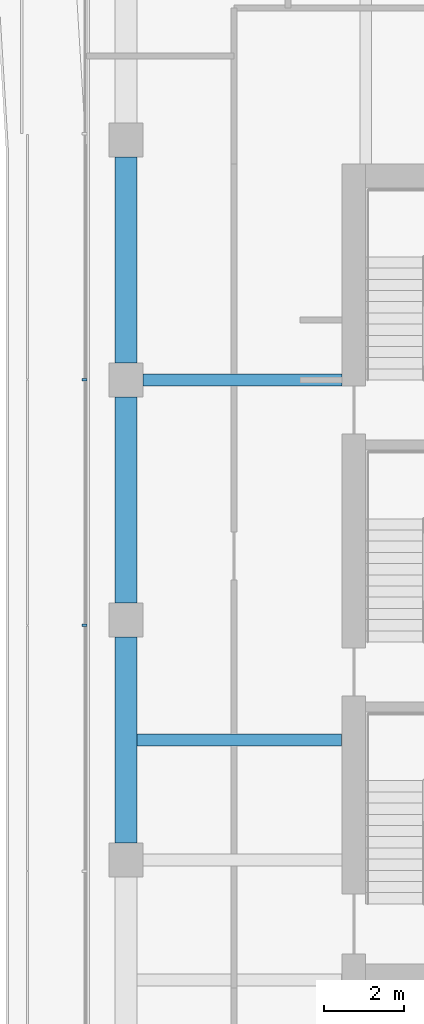
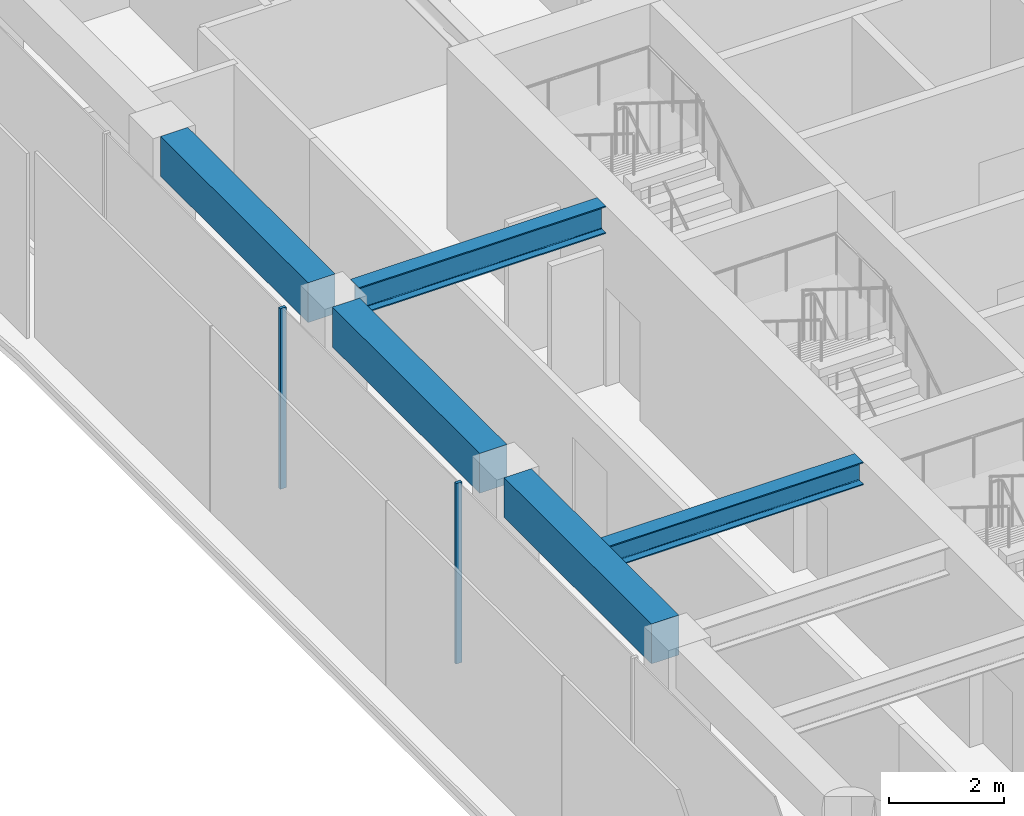
# One storey, part 5 of 21: 5 beams, 2 members, 1 element without a shape of its own.
"""IFC4 building model written with IfcOpenShell, lengths in metres."""

from ifc_helpers import new_model, si_unit, direction, frame, origin, origin_2d, place, context, subcontext, project, spatial, rectangle, i_section, extrude, material, layer, layer_set, material_profile, profile_set, type_object, element, aggregate, save


model = new_model("IFC4")

# Units and contexts
model_context = context("Model", 3, precision=1e-05, world=origin(), true_north=direction((0.0, 1.0)))
body_context = subcontext(model_context, "Body", "Model", "MODEL_VIEW")
ifc_project = project(units=[si_unit("LENGTHUNIT", "METRE"), si_unit("AREAUNIT", "SQUARE_METRE"), si_unit("VOLUMEUNIT", "CUBIC_METRE"), si_unit("PLANEANGLEUNIT", "RADIAN"), si_unit("MASSUNIT", "GRAM", prefix="KILO")], contexts=[model_context])

# Site, building, storey
site_placement = place(None, origin())
site = spatial("IfcSite", under=ifc_project, at=site_placement, CompositionType="ELEMENT")
building_placement = place(site_placement, origin())
building = spatial("IfcBuilding", under=site, at=building_placement, Name="Welwitschia Terrace Campus", CompositionType="ELEMENT")
storey_placement = place(building_placement, frame((0.0, 0.0, 184.39990234375)))
storey = spatial("IfcBuildingStorey", under=building, at=storey_placement, Name="L41", CompositionType="ELEMENT", Elevation=184.39990234375)

# Beam
ifc_material_1 = material(Name="Steel S355", Category="steel")
ifc_material_profile_1 = material_profile(ifc_material_1, i_section(OverallWidth=0.300048828125, OverallDepth=0.489990234375, WebThickness=0.011962890625, FlangeThickness=0.02294921875, FilletRadius=0.027099609375, at=origin_2d()))
ifc_profile_set_1 = profile_set([ifc_material_profile_1], Name="Steel S355")
beam_type_1 = type_object("IfcBeamType", Name="Interior girder HE 500 A", PredefinedType="BEAM", material=ifc_profile_set_1)
beam_1_placement = place(storey_placement, frame((-0.010009765625, 11.0, 3.60498046875), z_axis=(1.0, 0.0, 0.0), x_axis=(0.0, 1.0, 0.0)))
element("IfcBeam", 1, at=beam_1_placement, inside=storey, type_object=beam_type_1, Name="Girder GB4", PredefinedType="BEAM", context=body_context, shape_type="SweptSolid", body=[
    extrude(i_section(OverallWidth=0.300048828125, OverallDepth=0.489990234375, WebThickness=0.011962890625, FlangeThickness=0.02294921875, FilletRadius=0.027099609375, at=origin_2d()), origin(), (0.0, 0.0, 1.0), 5.408935546875),
])

# Curtain wall, members
ifc_material_2 = material(Name="Bronze anodised aluminium", Category="aluminium")
ifc_layer = layer(ifc_material_2, 0.1201171875)
ifc_layer_set = layer_set([ifc_layer], Name="Bronze anodised aluminium")
curtain_wall_type = type_object("IfcCurtainWallType", Name="Curtain wall CW2 tower 6000", PredefinedType="NOTDEFINED", material=ifc_layer_set)
curtain_wall_placement = place(storey_placement, origin())
curtain_wall = element("IfcCurtainWall", 2, at=curtain_wall_placement, inside=storey, type_object=curtain_wall_type, Name="CW L41.10.0", PredefinedType="NOTDEFINED")
ifc_material_3 = material(Name="Bronze anodised aluminium", Category="aluminium")
ifc_material_profile_2 = material_profile(ifc_material_3, rectangle(XDim=0.1201171875, YDim=0.06005859375, at=origin_2d()))
ifc_profile_set_2 = profile_set([ifc_material_profile_2], Name="Bronze anodised aluminium")
member_type = type_object("IfcMemberType", Name="Mullion 60x120", PredefinedType="MULLION", material=ifc_profile_set_2)
member_1_placement = place(storey_placement, frame((-1.030029296875, 20.01025390625, 0.0), z_axis=(0.0, 0.0, 1.0), x_axis=(1.0, 0.0, 0.0)))
member_1 = element("IfcMember", 3, at=member_1_placement, type_object=member_type, Name="Mullion L41.10.0.7", PredefinedType="MULLION", context=body_context, shape_type="SweptSolid", body=[
    extrude(rectangle(XDim=0.1201171875, YDim=0.06005859375, at=origin_2d()), origin(), (0.0, 0.0, 1.0), 3.85009765625),
])
member_2_placement = place(storey_placement, frame((-1.030029296875, 13.86474609375, 0.0), z_axis=(0.0, 0.0, 1.0), x_axis=(1.0, 0.0, 0.0)))
member_2 = element("IfcMember", 4, at=member_2_placement, type_object=member_type, Name="Mullion L41.10.0.8", PredefinedType="MULLION", context=body_context, shape_type="SweptSolid", body=[
    extrude(rectangle(XDim=0.1201171875, YDim=0.06005859375, at=origin_2d()), origin(), (0.0, 0.0, 1.0), 3.85009765625),
])
aggregate(curtain_wall, [member_1, member_2])

# Beams
ifc_material_4 = material(Name="Steel S355", Category="steel")
ifc_material_profile_3 = material_profile(ifc_material_4, i_section(OverallWidth=0.300048828125, OverallDepth=0.590087890625, WebThickness=0.012939453125, FlangeThickness=0.02490234375, FilletRadius=0.027099609375, at=origin_2d()))
ifc_profile_set_3 = profile_set([ifc_material_profile_3], Name="Steel S355")
beam_type_2 = type_object("IfcBeamType", Name="Primary beam HE 600 A", PredefinedType="BEAM", material=ifc_profile_set_3)
beam_2_placement = place(storey_placement, frame((0.425537109375, 20.0, 3.55517578125), z_axis=(1.0, 0.0, 0.0), x_axis=(0.0, 1.0, 0.0)))
element("IfcBeam", 5, at=beam_2_placement, inside=storey, type_object=beam_type_2, Name="Primary beam PB4", PredefinedType="BEAM", context=body_context, shape_type="SweptSolid", body=[
    extrude(i_section(OverallWidth=0.300048828125, OverallDepth=0.590087890625, WebThickness=0.012939453125, FlangeThickness=0.02490234375, FilletRadius=0.027099609375, at=origin_2d()), origin(), (0.0, 0.0, 1.0), 4.974365234375),
])
ifc_material_5 = material(Name="Concrete C50/60", Category="concrete")
ifc_material_profile_4 = material_profile(ifc_material_5, rectangle(XDim=0.550048828125, YDim=0.85009765625, at=origin_2d()))
ifc_profile_set_4 = profile_set([ifc_material_profile_4], Name="Concrete C50/60")
beam_type_3 = type_object("IfcBeamType", Name="Ring spandrel 550x850", PredefinedType="SPANDREL", material=ifc_profile_set_4)
for number, where, z_axis, x_axis, name in (
    (6, (0.0, 25.574462890625, 3.425048828125), (0.0, -1.0, 0.0), (1.0, 0.0, 0.0), "Spandrel SP3"),
    (7, (0.0, 19.574462890625, 3.425048828125), (0.0, -1.0, 0.0), (1.0, 0.0, 0.0), "Spandrel SP3"),
    (8, (0.0, 13.574462890625, 3.425048828125), (0.0, -1.0, 0.0), (1.0, 0.0, 0.0), "Spandrel SP3"),
):
    element("IfcBeam", number, at=place(storey_placement, frame(where, z_axis=z_axis, x_axis=x_axis)), inside=storey, type_object=beam_type_3, Name=name, PredefinedType="SPANDREL", context=body_context, shape_type="SweptSolid", body=[
        extrude(rectangle(XDim=0.550048828125, YDim=0.85009765625, at=origin_2d()), origin(), (0.0, 0.0, 1.0), 5.14892578125),
    ])

save(model, "model.ifc")
